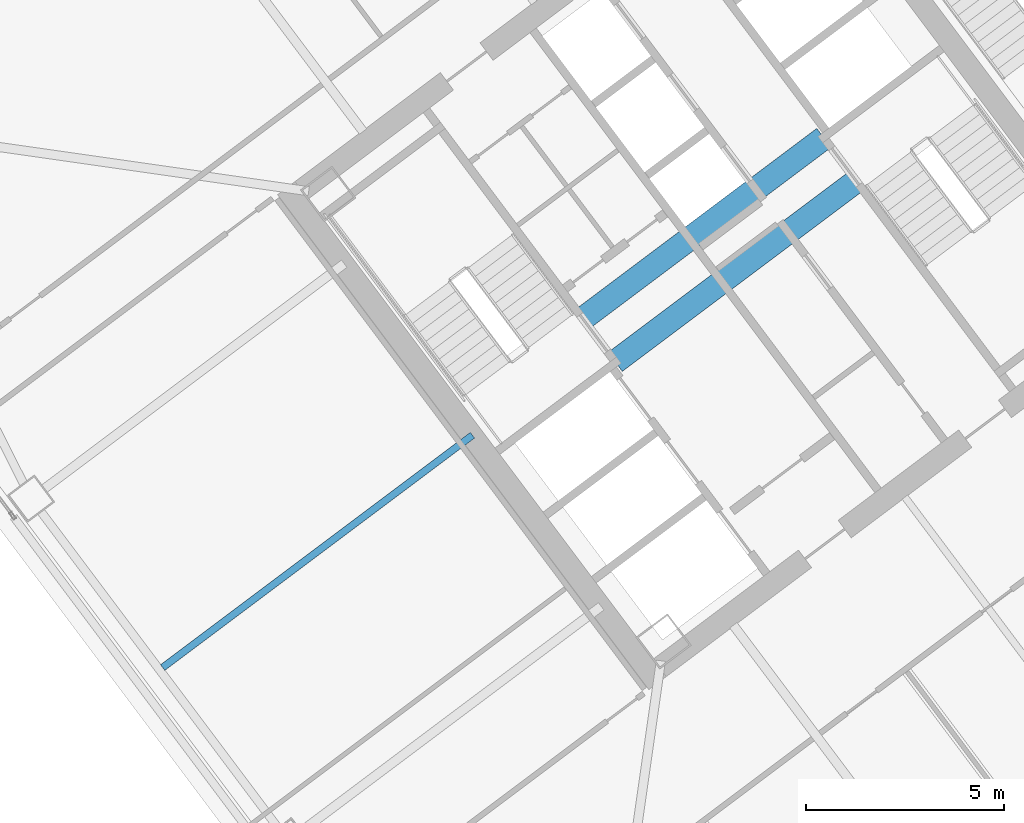
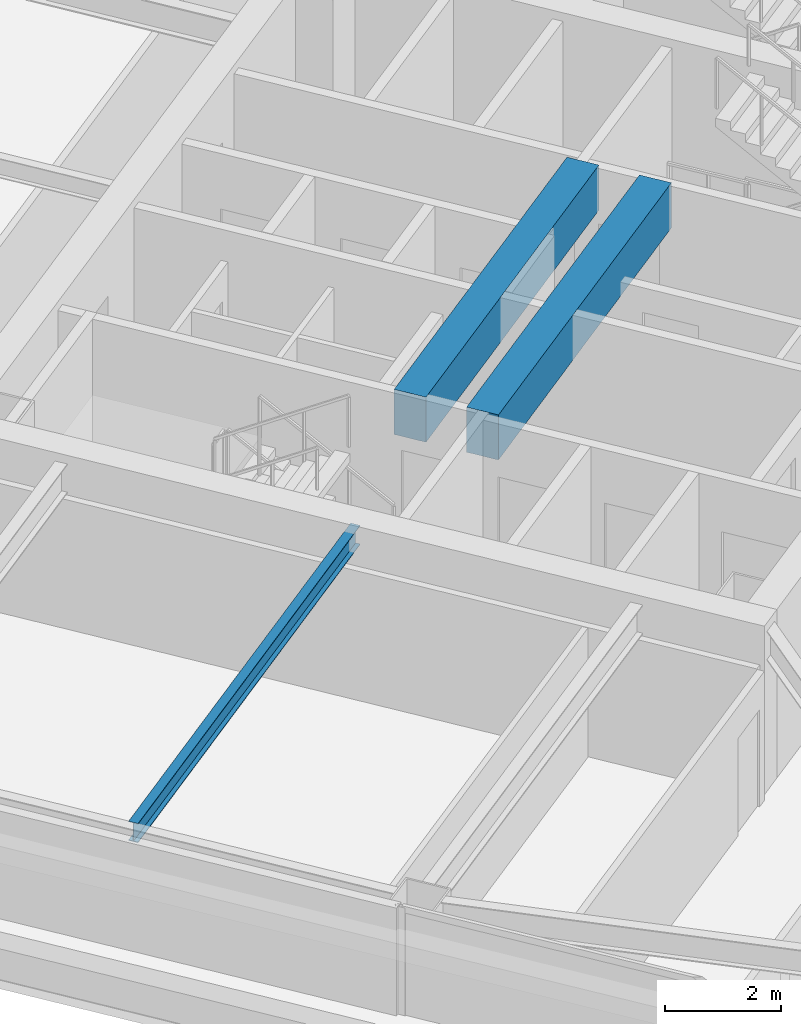
# One storey, part 21 of 41: 3 beams.
"""IFC4 building model written with IfcOpenShell, lengths in metres."""

from ifc_helpers import new_model, si_unit, direction, frame, origin, origin_2d, place, context, subcontext, project, spatial, rectangle, i_section, extrude, material, material_profile, profile_set, type_object, element, save


model = new_model("IFC4")

# Units and contexts
model_context = context("Model", 3, precision=1e-05, world=origin(), true_north=direction((0.0, 1.0)))
body_context = subcontext(model_context, "Body", "Model", "MODEL_VIEW")
ifc_project = project(units=[si_unit("LENGTHUNIT", "METRE"), si_unit("AREAUNIT", "SQUARE_METRE"), si_unit("VOLUMEUNIT", "CUBIC_METRE"), si_unit("PLANEANGLEUNIT", "RADIAN"), si_unit("MASSUNIT", "GRAM", prefix="KILO")], contexts=[model_context])

# Site, building, storey
site_placement = place(None, origin())
site = spatial("IfcSite", under=ifc_project, at=site_placement, CompositionType="ELEMENT")
building_placement = place(site_placement, origin())
building = spatial("IfcBuilding", under=site, at=building_placement, Name="Tashvorn Skyway Center", CompositionType="ELEMENT")
storey_placement = place(building_placement, frame((0.0, 0.0, 117.949951171875)))
storey = spatial("IfcBuildingStorey", under=building, at=storey_placement, Name="L31", CompositionType="ELEMENT", Elevation=117.949951171875)

# Beams
ifc_material_1 = material(Name="Steel ASTM A992 Grade 50", Category="steel")
ifc_material_profile_1 = material_profile(ifc_material_1, i_section(OverallWidth=0.177978515625, OverallDepth=0.406005859375, WebThickness=0.0078125, FlangeThickness=0.0126953125, at=origin_2d()), Name="W16X40")
ifc_profile_set_1 = profile_set([ifc_material_profile_1], Name="Steel ASTM A992 Grade 50")
beam_type_1 = type_object("IfcBeamType", Name="BM-JOIST-W16X40", PredefinedType="JOIST", material=ifc_profile_set_1)
beam_placement = place(storey_placement, frame((107.76806640625, 27.325927734375, 3.1669921875), z_axis=(-0.800006001881, -0.599991997409, 0.0), x_axis=(0.599991997409, -0.800006001881, 0.0)))
element("IfcBeam", 1, at=beam_placement, inside=storey, type_object=beam_type_1, Name="Tower 2 L31 Secondary Composite Joist JW", PredefinedType="JOIST", context=body_context, shape_type="SweptSolid", body=[
    extrude(i_section(OverallWidth=0.177978515625, OverallDepth=0.406005859375, WebThickness=0.0078125, FlangeThickness=0.0126953125, at=origin_2d()), origin(), (0.0, 0.0, 1.0), 9.762451171875),
])
ifc_material_2 = material(Name="Concrete C60/75", Category="concrete")
ifc_material_profile_2 = material_profile(ifc_material_2, rectangle(XDim=0.60009765625, YDim=0.949951171875, at=origin_2d()), Name="RCB600x950")
ifc_profile_set_2 = profile_set([ifc_material_profile_2], Name="Concrete C60/75")
beam_type_2 = type_object("IfcBeamType", Name="BM-LINTEL-RCB600x950", PredefinedType="LINTEL", material=ifc_profile_set_2)
for number, where, z_axis, x_axis, name in (
    (2, (110.552001953125, 30.263916015625, 2.89501953125), (0.8, 0.6, 0.0), (-0.6, 0.8, 0.0), "Tower 2 L31 Core Coupling Beam CN"),
    (3, (111.367919921875, 29.176025390625, 2.89501953125), (0.8, 0.6, 0.0), (-0.6, 0.8, 0.0), "Tower 2 L31 Core Coupling Beam CS"),
):
    element("IfcBeam", number, at=place(storey_placement, frame(where, z_axis=z_axis, x_axis=x_axis)), inside=storey, type_object=beam_type_2, Name=name, PredefinedType="LINTEL", context=body_context, shape_type="SweptSolid", body=[
        extrude(rectangle(XDim=0.60009765625, YDim=0.949951171875, at=origin_2d()), origin(), (0.0, 0.0, 1.0), 7.60009765625),
    ])

save(model, "model.ifc")
